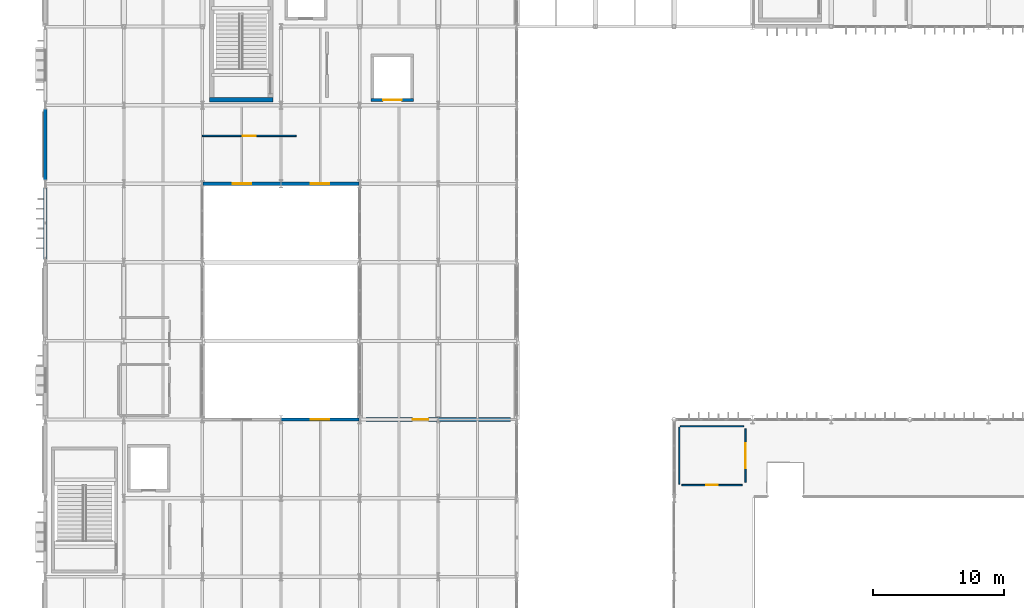
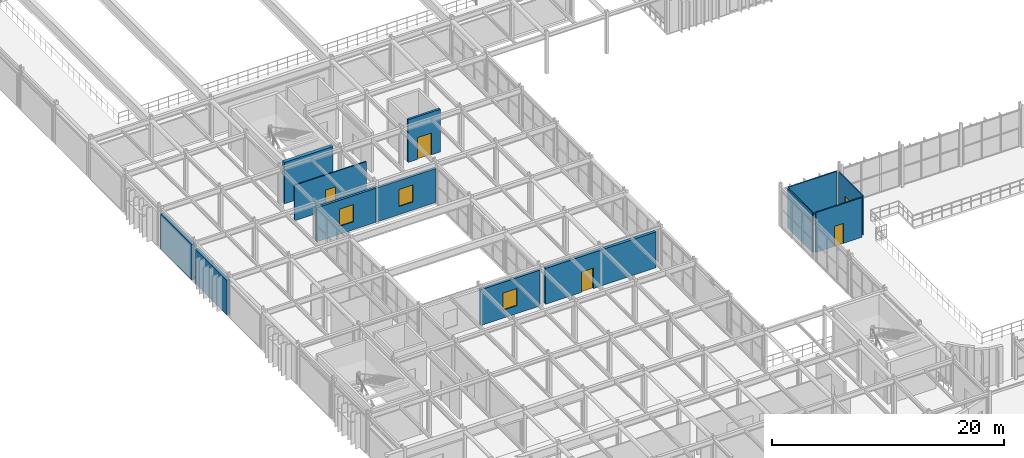
# One storey, part 64 of 96: 13 walls, 5 doors, 3 windows, 8 openings.
"""IFC4 building model written with IfcOpenShell, lengths in metres."""

from ifc_helpers import new_model, si_unit, direction, frame, frame_2d, origin, place, context, subcontext, project, spatial, rectangle, extrude, material, layer, layer_set, type_object, element, fill, save


model = new_model("IFC4")

# Units and contexts
model_context = context("Model", 3, precision=1e-05, world=origin(), true_north=direction((0.0, 1.0)))
body_context = subcontext(model_context, "Body", "Model", "MODEL_VIEW")
ifc_project = project(units=[si_unit("LENGTHUNIT", "METRE"), si_unit("AREAUNIT", "SQUARE_METRE"), si_unit("VOLUMEUNIT", "CUBIC_METRE"), si_unit("PLANEANGLEUNIT", "RADIAN"), si_unit("MASSUNIT", "GRAM", prefix="KILO")], contexts=[model_context])

# Site, building, storey
site_placement = place(None, origin())
site = spatial("IfcSite", under=ifc_project, at=site_placement, CompositionType="ELEMENT")
building_placement = place(site_placement, origin())
building = spatial("IfcBuilding", under=site, at=building_placement, Name="Varnakota Square Police Headquarters", CompositionType="ELEMENT")
storey_placement = place(building_placement, frame((0.0, 0.0, 4.800048828125)))
storey = spatial("IfcBuildingStorey", under=building, at=storey_placement, Name="L01", CompositionType="ELEMENT", Elevation=4.800048828125)

# Wall, opening, door
ifc_material_1 = material(Name="Concrete M40", Category="concrete")
ifc_layer_1 = layer(ifc_material_1, 0.22998046875, Name="Concrete M40")
ifc_layer_set_1 = layer_set([ifc_layer_1], Name="Concrete M40")
wall_type_1 = type_object("IfcWallType", Name="WL-CORE-230", PredefinedType="SHEAR", material=ifc_layer_set_1)
wall_1_placement = place(storey_placement, frame((30.885009765625, 63.39990234375, 0.0), z_axis=(0.0, 0.0, 1.0), x_axis=(1.0, 0.0, 0.0)))
wall_1 = element("IfcWall", 1, at=wall_1_placement, inside=storey, type_object=wall_type_1, Name="Lift shaft wall LF-G1 L01 S", PredefinedType="SHEAR", context=body_context, shape_type="SweptSolid", body=[
    extrude(rectangle(XDim=3.22998046875, YDim=0.22998046875, at=frame_2d((1.614990234375, 0.0))), origin(), (0.0, 0.0, 1.0), 4.5),
])
opening_1_placement = place(wall_1_placement, frame((0.9150390625, 0.0, 0.0)))
opening_1 = element("IfcOpeningElement", 2, at=opening_1_placement, cuts=wall_1, Name="Opening LD046", PredefinedType="OPENING", context=body_context, shape_type="SweptSolid", body=[
    extrude(rectangle(XDim=1.39990234375, YDim=2.300048828125, at=frame_2d((0.699951171875, 1.14990234375))), frame((0.0, 0.125, 0.0), z_axis=(0.0, -1.0, 0.0), x_axis=(1.0, 0.0, 0.0)), (0.0, 0.0, 1.0), 0.25),
])
ifc_material_2 = material(Name="Heavy-Gauge Brushed Stainless Steel", Category="steel")
door_type_1 = type_object("IfcDoorType", Name="DR-LD-GDS", OperationType="NOTDEFINED", PredefinedType="DOOR", material=ifc_material_2)
door_1_placement = place(opening_1_placement, origin())
door_1 = element("IfcDoor", 3, at=door_1_placement, inside=storey, type_object=door_type_1, Name="Lift sliding landing door LD046", OperationType="SLIDING_TO_LEFT", OverallHeight=2.300048828125, OverallWidth=1.39990234375, PredefinedType="DOOR", context=body_context, shape_type="SweptSolid", body=[
    extrude(rectangle(XDim=1.39990234375, YDim=2.300048828125, at=frame_2d((0.699951171875, 1.14990234375))), frame((0.0, 0.02490234375, 0.0), z_axis=(0.0, -1.0, 0.0), x_axis=(1.0, 0.0, 0.0)), (0.0, 0.0, 1.0), 0.050048828125),
])
fill(opening_1, door_1)

# Wall
ifc_material_3 = material(Name="Concrete M50", Category="concrete")
ifc_layer_2 = layer(ifc_material_3, 0.35009765625, Name="Concrete M50")
ifc_layer_set_2 = layer_set([ifc_layer_2], Name="Concrete M50")
wall_type_2 = type_object("IfcWallType", Name="WL-CORE-350", PredefinedType="SHEAR", material=ifc_layer_set_2)
wall_2_placement = place(storey_placement, frame((18.52490234375, 63.39990234375, 0.0), z_axis=(0.0, 0.0, 1.0), x_axis=(1.0, 0.0, 0.0)))
element("IfcWall", 4, at=wall_2_placement, inside=storey, type_object=wall_type_2, Name="Core C5 shear wall L01 S", PredefinedType="SHEAR", context=body_context, shape_type="SweptSolid", body=[
    extrude(rectangle(XDim=4.85009765625, YDim=0.35009765625, at=frame_2d((2.425048828125, 0.0))), origin(), (0.0, 0.0, 1.0), 4.35986328125),
])

# Wall, opening, window
ifc_layer_3 = layer(ifc_material_1, 0.239990234375, Name="Concrete M40")
ifc_layer_set_3 = layer_set([ifc_layer_3], Name="Concrete M40")
wall_type_3 = type_object("IfcWallType", Name="WL-EXT-240", PredefinedType="SOLIDWALL", material=ifc_layer_set_3)
wall_3_placement = place(storey_placement, frame((18.050048828125, 57.0, 0.0), z_axis=(0.0, 0.0, 1.0), x_axis=(1.0, 0.0, 0.0)))
wall_3 = element("IfcWall", 5, at=wall_3_placement, inside=storey, type_object=wall_type_3, Name="Court exterior wall EW-L01-0409", PredefinedType="SOLIDWALL", context=body_context, shape_type="SweptSolid", body=[
    extrude(rectangle(XDim=5.949951171875, YDim=0.239990234375, at=frame_2d((2.97509765625, 0.0))), origin(), (0.0, 0.0, 1.0), 3.58984375),
])
opening_2_placement = place(wall_3_placement, frame((2.27490234375, 0.0, 0.85009765625)))
opening_2 = element("IfcOpeningElement", 6, at=opening_2_placement, cuts=wall_3, Name="Opening W16", PredefinedType="OPENING", context=body_context, shape_type="SweptSolid", body=[
    extrude(rectangle(XDim=1.39990234375, YDim=1.800048828125, at=frame_2d((0.699951171875, 0.89990234375))), frame((0.0, 0.1298828125, 0.0), z_axis=(0.0, -1.0, 0.0), x_axis=(1.0, 0.0, 0.0)), (0.0, 0.0, 1.0), 0.260009765625),
])
ifc_material_4 = material(Name="Thermally Broken Aluminium Double-Glazed Window", Category="aluminium")
window_type = type_object("IfcWindowType", Name="WIN-16", PartitioningType="SINGLE_PANEL", PredefinedType="WINDOW", material=ifc_material_4)
window_1_placement = place(opening_2_placement, origin())
window_1 = element("IfcWindow", 7, at=window_1_placement, inside=storey, type_object=window_type, Name="Window WN-L01-0077", OverallHeight=1.800048828125, OverallWidth=1.39990234375, PartitioningType="SINGLE_PANEL", PredefinedType="WINDOW", context=body_context, shape_type="SweptSolid", body=[
    extrude(rectangle(XDim=1.39990234375, YDim=1.800048828125, at=frame_2d((0.699951171875, 0.89990234375))), frame((0.0, 0.030029296875, 0.0), z_axis=(0.0, -1.0, 0.0), x_axis=(1.0, 0.0, 0.0)), (0.0, 0.0, 1.0), 0.06005859375),
])
fill(opening_2, window_1)

wall_4_placement = place(storey_placement, frame((24.0, 39.0, 0.0), z_axis=(0.0, 0.0, 1.0), x_axis=(1.0, 0.0, 0.0)))
wall_4 = element("IfcWall", 8, at=wall_4_placement, inside=storey, type_object=wall_type_3, Name="Court exterior wall EW-L01-0410", PredefinedType="SOLIDWALL", context=body_context, shape_type="SweptSolid", body=[
    extrude(rectangle(XDim=5.949951171875, YDim=0.239990234375, at=frame_2d((2.97509765625, 0.0))), origin(), (0.0, 0.0, 1.0), 3.783447265625),
])
opening_3_placement = place(wall_4_placement, frame((2.27490234375, 0.0, 0.85009765625)))
opening_3 = element("IfcOpeningElement", 9, at=opening_3_placement, cuts=wall_4, Name="Opening W16", PredefinedType="OPENING", context=body_context, shape_type="SweptSolid", body=[
    extrude(rectangle(XDim=1.39990234375, YDim=1.800048828125, at=frame_2d((0.699951171875, 0.89990234375))), frame((0.0, 0.1298828125, 0.0), z_axis=(0.0, -1.0, 0.0), x_axis=(1.0, 0.0, 0.0)), (0.0, 0.0, 1.0), 0.260009765625),
])
window_2_placement = place(opening_3_placement, origin())
window_2 = element("IfcWindow", 10, at=window_2_placement, inside=storey, type_object=window_type, Name="Window WN-L01-0078", OverallHeight=1.800048828125, OverallWidth=1.39990234375, PartitioningType="SINGLE_PANEL", PredefinedType="WINDOW", context=body_context, shape_type="SweptSolid", body=[
    extrude(rectangle(XDim=1.39990234375, YDim=1.800048828125, at=frame_2d((0.699951171875, 0.89990234375))), frame((0.0, 0.030029296875, 0.0), z_axis=(0.0, -1.0, 0.0), x_axis=(1.0, 0.0, 0.0)), (0.0, 0.0, 1.0), 0.06005859375),
])
fill(opening_3, window_2)

wall_5_placement = place(storey_placement, frame((24.0, 57.0, 0.0), z_axis=(0.0, 0.0, 1.0), x_axis=(1.0, 0.0, 0.0)))
wall_5 = element("IfcWall", 11, at=wall_5_placement, inside=storey, type_object=wall_type_3, Name="Court exterior wall EW-L01-0411", PredefinedType="SOLIDWALL", context=body_context, shape_type="SweptSolid", body=[
    extrude(rectangle(XDim=5.949951171875, YDim=0.239990234375, at=frame_2d((2.97509765625, 0.0))), origin(), (0.0, 0.0, 1.0), 3.58984375),
])
opening_4_placement = place(wall_5_placement, frame((2.27490234375, 0.0, 0.85009765625)))
opening_4 = element("IfcOpeningElement", 12, at=opening_4_placement, cuts=wall_5, Name="Opening W16", PredefinedType="OPENING", context=body_context, shape_type="SweptSolid", body=[
    extrude(rectangle(XDim=1.39990234375, YDim=1.800048828125, at=frame_2d((0.699951171875, 0.89990234375))), frame((0.0, 0.1298828125, 0.0), z_axis=(0.0, -1.0, 0.0), x_axis=(1.0, 0.0, 0.0)), (0.0, 0.0, 1.0), 0.260009765625),
])
window_3_placement = place(opening_4_placement, origin())
window_3 = element("IfcWindow", 13, at=window_3_placement, inside=storey, type_object=window_type, Name="Window WN-L01-0079", OverallHeight=1.800048828125, OverallWidth=1.39990234375, PartitioningType="SINGLE_PANEL", PredefinedType="WINDOW", context=body_context, shape_type="SweptSolid", body=[
    extrude(rectangle(XDim=1.39990234375, YDim=1.800048828125, at=frame_2d((0.699951171875, 0.89990234375))), frame((0.0, 0.030029296875, 0.0), z_axis=(0.0, -1.0, 0.0), x_axis=(1.0, 0.0, 0.0)), (0.0, 0.0, 1.0), 0.06005859375),
])
fill(opening_4, window_3)

# Walls
ifc_material_5 = material(Name="Precast concrete M40", Category="concrete")
ifc_layer_4 = layer(ifc_material_5, 0.300048828125, Name="Precast concrete M40")
ifc_layer_set_4 = layer_set([ifc_layer_4], Name="Precast concrete M40")
wall_type_4 = type_object("IfcWallType", Name="WL-EXT-300", PredefinedType="SOLIDWALL", material=ifc_layer_set_4)
wall_6_placement = place(storey_placement, frame((6.0, 51.22900390625, 0.0), z_axis=(0.0, 0.0, 1.0), x_axis=(0.0, 1.0, 0.0)))
element("IfcWall", 14, at=wall_6_placement, inside=storey, type_object=wall_type_4, Name="Exterior wall EW-L01-0404", PredefinedType="SOLIDWALL", context=body_context, shape_type="SweptSolid", body=[
    extrude(rectangle(XDim=5.467041015625, YDim=0.300048828125, at=frame_2d((2.7333984375, 0.0))), origin(), (0.0, 0.0, 1.0), 3.639892578125),
])
wall_7_placement = place(storey_placement, frame((6.0, 57.303955078125, 0.0), z_axis=(0.0, 0.0, 1.0), x_axis=(0.0, 1.0, 0.0)))
element("IfcWall", 15, at=wall_7_placement, inside=storey, type_object=wall_type_4, Name="Exterior wall EW-L01-0405", PredefinedType="SOLIDWALL", context=body_context, shape_type="SweptSolid", body=[
    extrude(rectangle(XDim=5.39208984375, YDim=0.300048828125, at=frame_2d((2.696044921875, 0.0))), origin(), (0.0, 0.0, 1.0), 3.739990234375),
])
ifc_material_6 = material(Name="Lightweight Demountable Office Partition", Category="gypsum")
ifc_layer_5 = layer(ifc_material_6, 0.094970703125, Name="Lightweight Demountable Office Partition")
ifc_layer_set_5 = layer_set([ifc_layer_5], Name="Lightweight Demountable Office Partition")
wall_type_5 = type_object("IfcWallType", Name="WL-PRT-095", PredefinedType="PARTITIONING", material=ifc_layer_set_5)
wall_8_placement = place(storey_placement, frame((54.47998046875, 38.5, 0.0), z_axis=(0.0, 0.0, 1.0), x_axis=(1.0, 0.0, 0.0)))
element("IfcWall", 16, at=wall_8_placement, inside=storey, type_object=wall_type_5, Name="Interior dividing partition PW-L01-0120 (L01 Public Men Washroom WC)", PredefinedType="PARTITIONING", context=body_context, shape_type="SweptSolid", body=[
    extrude(rectangle(XDim=4.840087890625, YDim=0.094970703125, at=frame_2d((2.419921875, 0.0))), origin(), (0.0, 0.0, 1.0), 4.18994140625),
])

# Wall, opening, door
ifc_material_7 = material(Name="Glazed Clean-Lab Modular Partition", Category="gypsum")
ifc_layer_6 = layer(ifc_material_7, 0.10498046875, Name="Glazed Clean-Lab Modular Partition")
ifc_layer_set_6 = layer_set([ifc_layer_6], Name="Glazed Clean-Lab Modular Partition")
wall_type_6 = type_object("IfcWallType", Name="WL-PRT-105", PredefinedType="PARTITIONING", material=ifc_layer_set_6)
wall_9_placement = place(storey_placement, frame((59.449951171875, 34.199951171875, 0.0), z_axis=(0.0, 0.0, 1.0), x_axis=(0.0, 1.0, 0.0)))
wall_9 = element("IfcWall", 17, at=wall_9_placement, inside=storey, type_object=wall_type_6, Name="Interior partition PW-L01-0090 (Entrance Hall Upper Gallery and Citizen Consultation Desks)", PredefinedType="PARTITIONING", context=body_context, shape_type="SweptSolid", body=[
    extrude(rectangle(XDim=4.10009765625, YDim=0.10498046875, at=frame_2d((2.050048828125, 0.0))), origin(), (0.0, 0.0, 1.0), 4.18994140625),
])
opening_5_placement = place(wall_9_placement, frame((1.10009765625, 0.0, 0.0)))
opening_5 = element("IfcOpeningElement", 18, at=opening_5_placement, cuts=wall_9, Name="Opening D196", PredefinedType="OPENING", context=body_context, shape_type="SweptSolid", body=[
    extrude(rectangle(XDim=1.89990234375, YDim=2.300048828125, at=frame_2d((0.949951171875, 1.14990234375))), frame((0.0, 0.0625, 0.0), z_axis=(0.0, -1.0, 0.0), x_axis=(1.0, 0.0, 0.0)), (0.0, 0.0, 1.0), 0.125),
])
ifc_material_8 = material(Name="Solid-Core Acoustic Walnut Veneer Timber", Category="wood")
door_type_2 = type_object("IfcDoorType", Name="DR-AUD-190", OperationType="NOTDEFINED", PredefinedType="DOOR", material=ifc_material_8)
door_2_placement = place(opening_5_placement, origin())
door_2 = element("IfcDoor", 19, at=door_2_placement, inside=storey, type_object=door_type_2, Name="Room door D196 (Entrance Hall Upper Gallery and Citizen Consultation Desks)", OperationType="DOUBLE_DOOR_SINGLE_SWING", OverallHeight=2.300048828125, OverallWidth=1.89990234375, PredefinedType="DOOR", context=body_context, shape_type="SweptSolid", body=[
    extrude(rectangle(XDim=1.89990234375, YDim=2.300048828125, at=frame_2d((0.949951171875, 1.14990234375))), frame((0.0, 0.02490234375, 0.0), z_axis=(0.0, -1.0, 0.0), x_axis=(1.0, 0.0, 0.0)), (0.0, 0.0, 1.0), 0.050048828125),
])
fill(opening_5, door_2)

# Wall
wall_10_placement = place(storey_placement, frame((54.39990234375, 34.080078125, 0.0), z_axis=(0.0, 0.0, 1.0), x_axis=(0.0, 1.0, 0.0)))
element("IfcWall", 20, at=wall_10_placement, inside=storey, type_object=wall_type_6, Name="Interior dividing partition PW-L01-0119 (L01 Public Men Washroom WC)", PredefinedType="PARTITIONING", context=body_context, shape_type="SweptSolid", body=[
    extrude(rectangle(XDim=4.33984375, YDim=0.10498046875, at=frame_2d((2.169921875, 0.0))), origin(), (0.0, 0.0, 1.0), 4.18994140625),
])

# Wall, opening, door
ifc_material_9 = material(Name="Moisture-Resistant Tile-Backed Partition", Category="gypsum")
ifc_layer_7 = layer(ifc_material_9, 0.114990234375, Name="Moisture-Resistant Tile-Backed Partition")
ifc_layer_set_7 = layer_set([ifc_layer_7], Name="Moisture-Resistant Tile-Backed Partition")
wall_type_7 = type_object("IfcWallType", Name="WL-PRT-115", PredefinedType="PARTITIONING", material=ifc_layer_set_7)
wall_11_placement = place(storey_placement, frame((25.159912109375, 60.64990234375, 0.0), z_axis=(0.0, 0.0, 1.0), x_axis=(-1.0, 0.0, 0.0)))
wall_11 = element("IfcWall", 21, at=wall_11_placement, inside=storey, type_object=wall_type_7, Name="Interior partition PW-L01-0102 (Forensic Photography Studio and Archive)", PredefinedType="PARTITIONING", context=body_context, shape_type="SweptSolid", body=[
    extrude(rectangle(XDim=7.159912109375, YDim=0.114990234375, at=frame_2d((3.580078125, 0.0))), origin(), (0.0, 0.0, 1.0), 3.739990234375),
])
opening_6_placement = place(wall_11_placement, frame((3.080078125, 0.0, 0.0)))
opening_6 = element("IfcOpeningElement", 22, at=opening_6_placement, cuts=wall_11, Name="Opening D208", PredefinedType="OPENING", context=body_context, shape_type="SweptSolid", body=[
    extrude(rectangle(XDim=1.0, YDim=2.14990234375, at=frame_2d((0.5, 1.074951171875))), frame((0.0, 0.0673828125, 0.0), z_axis=(0.0, -1.0, 0.0), x_axis=(1.0, 0.0, 0.0)), (0.0, 0.0, 1.0), 0.135009765625),
])
ifc_material_10 = material(Name="Solid-Core Teak Veneer Hardwood", Category="wood")
door_type_3 = type_object("IfcDoorType", Name="DR-OFF-100", OperationType="NOTDEFINED", PredefinedType="DOOR", material=ifc_material_10)
door_3_placement = place(opening_6_placement, origin())
door_3 = element("IfcDoor", 23, at=door_3_placement, inside=storey, type_object=door_type_3, Name="Room door D208 (Forensic Photography Studio and Archive)", OperationType="SINGLE_SWING_RIGHT", OverallHeight=2.14990234375, OverallWidth=1.0, PredefinedType="DOOR", context=body_context, shape_type="SweptSolid", body=[
    extrude(rectangle(XDim=1.0, YDim=2.14990234375, at=frame_2d((0.5, 1.074951171875))), frame((0.0, 0.02490234375, 0.0), z_axis=(0.0, -1.0, 0.0), x_axis=(1.0, 0.0, 0.0)), (0.0, 0.0, 1.0), 0.050048828125),
])
fill(opening_6, door_3)

ifc_material_11 = material(Name="Acoustic Insulated Metal-Stud Partition", Category="gypsum")
ifc_layer_8 = layer(ifc_material_11, 0.125, Name="Acoustic Insulated Metal-Stud Partition")
ifc_layer_set_8 = layer_set([ifc_layer_8], Name="Acoustic Insulated Metal-Stud Partition")
wall_type_8 = type_object("IfcWallType", Name="WL-PRT-125", PredefinedType="PARTITIONING", material=ifc_layer_set_8)
wall_12_placement = place(storey_placement, frame((59.199951171875, 34.0, 0.0), z_axis=(0.0, 0.0, 1.0), x_axis=(-1.0, 0.0, 0.0)))
wall_12 = element("IfcWall", 24, at=wall_12_placement, inside=storey, type_object=wall_type_8, Name="Interior partition PW-L01-0087 (L01 Public Men Washroom WC)", PredefinedType="PARTITIONING", context=body_context, shape_type="SweptSolid", body=[
    extrude(rectangle(XDim=4.599853515625, YDim=0.125, at=frame_2d((2.2998046875, 0.0))), origin(), (0.0, 0.0, 1.0), 4.18994140625),
])
opening_7_placement = place(wall_12_placement, frame((1.85009765625, 0.0, 0.0)))
opening_7 = element("IfcOpeningElement", 25, at=opening_7_placement, cuts=wall_12, Name="Opening D193", PredefinedType="OPENING", context=body_context, shape_type="SweptSolid", body=[
    extrude(rectangle(XDim=0.89990234375, YDim=2.10009765625, at=frame_2d((0.449951171875, 1.050048828125))), frame((0.0, 0.072509765625, 0.0), z_axis=(0.0, -1.0, 0.0), x_axis=(1.0, 0.0, 0.0)), (0.0, 0.0, 1.0), 0.14501953125),
])
ifc_material_12 = material(Name="High-Pressure Moisture-Resistant Compact Laminate")
door_type_4 = type_object("IfcDoorType", Name="DR-WC-090", OperationType="NOTDEFINED", PredefinedType="DOOR", material=ifc_material_12)
door_4_placement = place(opening_7_placement, origin())
door_4 = element("IfcDoor", 26, at=door_4_placement, inside=storey, type_object=door_type_4, Name="Room door D193 (L01 Public Men Washroom WC)", OperationType="SINGLE_SWING_LEFT", OverallHeight=2.10009765625, OverallWidth=0.89990234375, PredefinedType="DOOR", context=body_context, shape_type="SweptSolid", body=[
    extrude(rectangle(XDim=0.89990234375, YDim=2.10009765625, at=frame_2d((0.449951171875, 1.050048828125))), frame((0.0, 0.02490234375, 0.0), z_axis=(0.0, -1.0, 0.0), x_axis=(1.0, 0.0, 0.0)), (0.0, 0.0, 1.0), 0.050048828125),
])
fill(opening_7, door_4)

ifc_layer_9 = layer(ifc_material_1, 0.2900390625, Name="Concrete M40")
ifc_layer_set_9 = layer_set([ifc_layer_9], Name="Concrete M40")
wall_type_9 = type_object("IfcWallType", Name="WL-PRT-290F", PredefinedType="PARTITIONING", material=ifc_layer_set_9)
wall_13_placement = place(storey_placement, frame((41.5, 39.0, 0.0), z_axis=(0.0, 0.0, 1.0), x_axis=(-1.0, 0.0, 0.0)))
wall_13 = element("IfcWall", 27, at=wall_13_placement, inside=storey, type_object=wall_type_9, Name="Interior partition PW-L01-0101 (Latent Print Examination Laboratory)", PredefinedType="PARTITIONING", context=body_context, shape_type="SweptSolid", body=[
    extrude(rectangle(XDim=11.0, YDim=0.2900390625, at=frame_2d((5.5, 0.0))), origin(), (0.0, 0.0, 1.0), 3.783447265625),
])
opening_8_placement = place(wall_13_placement, frame((6.25, 0.0, 0.0)))
opening_8 = element("IfcOpeningElement", 28, at=opening_8_placement, cuts=wall_13, Name="Opening D207", PredefinedType="OPENING", context=body_context, shape_type="SweptSolid", body=[
    extrude(rectangle(XDim=1.199951171875, YDim=2.14990234375, at=frame_2d((0.60009765625, 1.074951171875))), frame((0.0, 0.155029296875, 0.0), z_axis=(0.0, -1.0, 0.0), x_axis=(1.0, 0.0, 0.0)), (0.0, 0.0, 1.0), 0.31005859375),
])
ifc_material_13 = material(Name="Phenolic-Faced Fire-Rated Composite")
door_type_5 = type_object("IfcDoorType", Name="DR-LAB-120", OperationType="NOTDEFINED", PredefinedType="DOOR", material=ifc_material_13)
door_5_placement = place(opening_8_placement, origin())
door_5 = element("IfcDoor", 29, at=door_5_placement, inside=storey, type_object=door_type_5, Name="Room door D207 (Latent Print Examination Laboratory)", OperationType="SINGLE_SWING_LEFT", OverallHeight=2.14990234375, OverallWidth=1.199951171875, PredefinedType="DOOR", context=body_context, shape_type="SweptSolid", body=[
    extrude(rectangle(XDim=1.199951171875, YDim=2.14990234375, at=frame_2d((0.60009765625, 1.074951171875))), frame((0.0, 0.02490234375, 0.0), z_axis=(0.0, -1.0, 0.0), x_axis=(1.0, 0.0, 0.0)), (0.0, 0.0, 1.0), 0.050048828125),
])
fill(opening_8, door_5)

save(model, "model.ifc")
